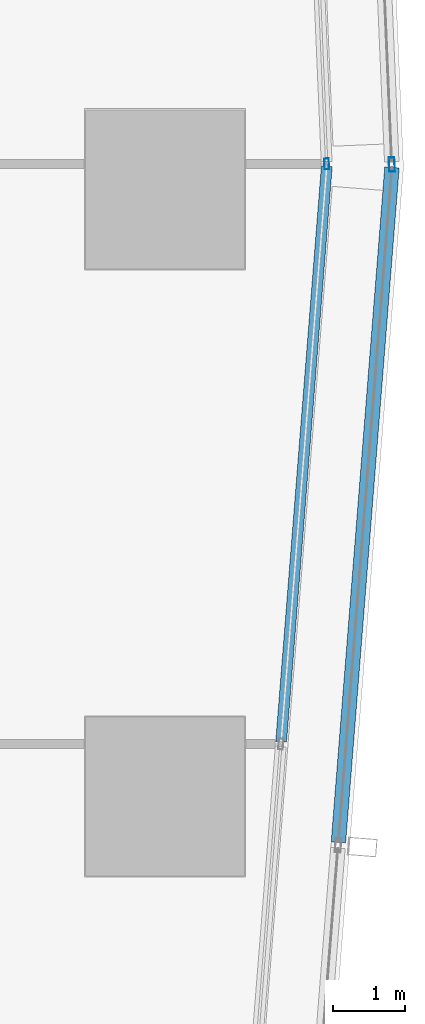
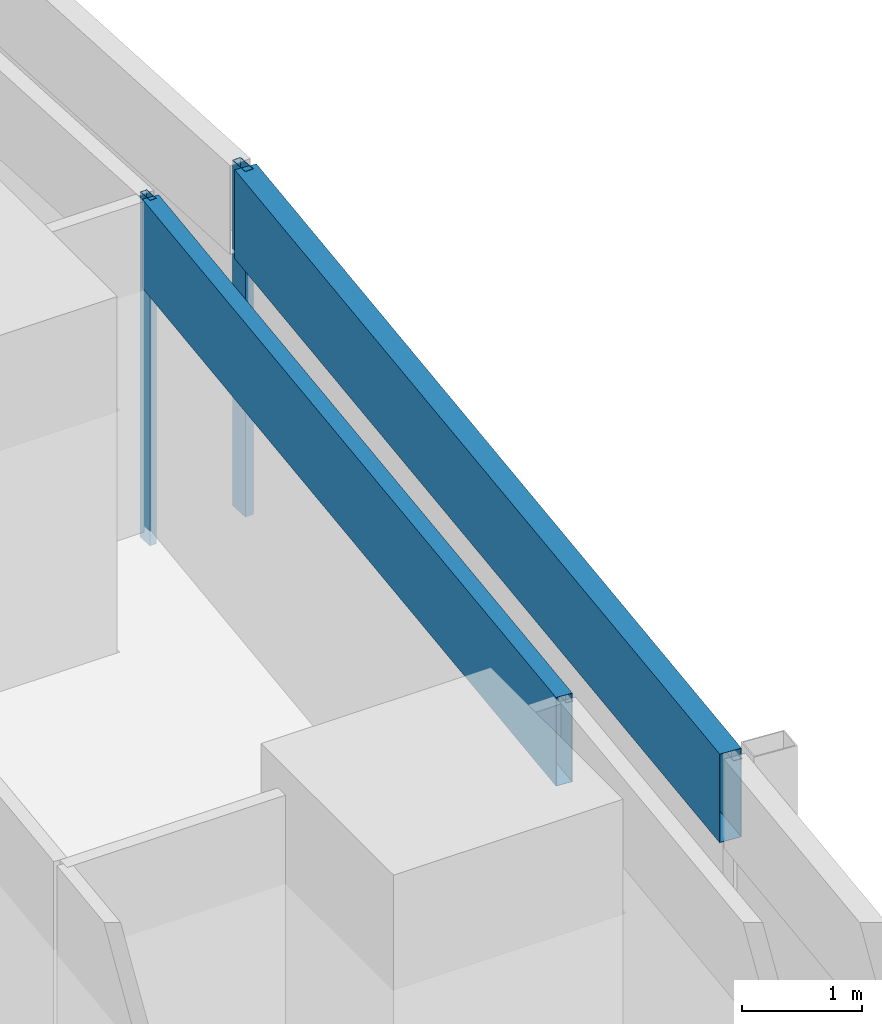
# One storey, part 26 of 44: 4 members, 4 elements without a shape of their own.
"""IFC4 building model written with IfcOpenShell, lengths in metres."""

from ifc_helpers import new_model, si_unit, direction, frame, origin, origin_2d, place, context, subcontext, project, spatial, hollow_rectangle, extrude, material, material_profile, profile_set, type_object, element, aggregate, save


model = new_model("IFC4")

# Units and contexts
model_context = context("Model", 3, precision=1e-05, world=origin(), true_north=direction((0.0, 1.0)))
body_context = subcontext(model_context, "Body", "Model", "MODEL_VIEW")
ifc_project = project(units=[si_unit("LENGTHUNIT", "METRE"), si_unit("AREAUNIT", "SQUARE_METRE"), si_unit("VOLUMEUNIT", "CUBIC_METRE"), si_unit("PLANEANGLEUNIT", "RADIAN"), si_unit("MASSUNIT", "GRAM", prefix="KILO")], contexts=[model_context])

# Site, building, storey
site_placement = place(None, origin())
site = spatial("IfcSite", under=ifc_project, at=site_placement, CompositionType="ELEMENT")
building_placement = place(site_placement, origin())
building = spatial("IfcBuilding", under=site, at=building_placement, Name="Rekha Terrace Tower", CompositionType="ELEMENT")
storey_placement = place(building_placement, frame((0.0, 0.0, 51.64990234375)))
storey = spatial("IfcBuildingStorey", under=building, at=storey_placement, Name="L12", CompositionType="ELEMENT", Elevation=51.64990234375)

# Curtain wall, member
ifc_material_1 = material(Name="Aluminium framing", Category="aluminium")
curtain_wall_type_1 = type_object("IfcCurtainWallType", Name="CW1 double skin inner glazing", PredefinedType="USERDEFINED", material=ifc_material_1)
curtain_wall_1_placement = place(storey_placement, origin())
curtain_wall_1 = element("IfcCurtainWall", 1, at=curtain_wall_1_placement, inside=storey, type_object=curtain_wall_type_1, Name="CW1 double skin inner glazing", ObjectType="DOUBLE SKIN INNER GLAZING", PredefinedType="USERDEFINED")
ifc_material_2 = material(Name="Aluminium mullion section", Category="aluminium")
ifc_material_profile_1 = material_profile(ifc_material_2, hollow_rectangle(XDim=0.06494140625, YDim=0.14990234375, WallThickness=0.00390625, at=origin_2d()), Name="AL RHS 65x150")
ifc_profile_set_1 = profile_set([ifc_material_profile_1], Name="Aluminium mullion section")
member_type_1 = type_object("IfcMemberType", Name="CW1 mullion RHS 65 x 150", PredefinedType="MULLION", material=ifc_profile_set_1)
member_1_placement = place(storey_placement, frame((69.436767578125, 25.5517578125, 0.0), z_axis=(0.0, 0.0, 1.0), x_axis=(-0.999088106904, -0.042696072921, 0.0)))
member_1 = element("IfcMember", 2, at=member_1_placement, type_object=member_type_1, Name="CW1 mullion 1", PredefinedType="MULLION", context=body_context, shape_type="SweptSolid", body=[
    extrude(hollow_rectangle(XDim=0.06494140625, YDim=0.14990234375, WallThickness=0.00390625, at=origin_2d()), origin(), (0.0, 0.0, 1.0), 3.5),
])
aggregate(curtain_wall_1, [member_1])

curtain_wall_2_placement = place(storey_placement, origin())
curtain_wall_2 = element("IfcCurtainWall", 3, at=curtain_wall_2_placement, inside=storey, type_object=curtain_wall_type_1, Name="CW1 double skin inner glazing", ObjectType="DOUBLE SKIN INNER GLAZING", PredefinedType="USERDEFINED")
ifc_material_3 = material(Name="Insulated aluminium spandrel box", Category="aluminium")
ifc_material_profile_2 = material_profile(ifc_material_3, hollow_rectangle(XDim=0.14990234375, YDim=0.89990234375, WallThickness=0.0029296875, at=origin_2d()), Name="AL SPANDREL BOX 150x900")
ifc_profile_set_2 = profile_set([ifc_material_profile_2], Name="Insulated aluminium spandrel box")
member_type_2 = type_object("IfcMemberType", Name="CW1 spandrel transom 150 x 900", PredefinedType="USERDEFINED", material=ifc_profile_set_2)
member_2_placement = place(storey_placement, frame((68.80615234375, 17.555908203125, 3.050048828125), z_axis=(0.07912449621, 0.996864742129, 0.0), x_axis=(-0.996864742129, 0.07912449621, 0.0)))
member_2 = element("IfcMember", 4, at=member_2_placement, type_object=member_type_2, Name="CW1 spandrel transom 2", ObjectType="TRANSOM", PredefinedType="USERDEFINED", context=body_context, shape_type="SweptSolid", body=[
    extrude(hollow_rectangle(XDim=0.14990234375, YDim=0.89990234375, WallThickness=0.0029296875, at=origin_2d()), origin(), (0.0, 0.0, 1.0), 7.988525390625),
])
aggregate(curtain_wall_2, [member_2])

curtain_wall_type_2 = type_object("IfcCurtainWallType", Name="CW2 double skin outer glazing", PredefinedType="USERDEFINED", material=ifc_material_1)
curtain_wall_3_placement = place(storey_placement, origin())
curtain_wall_3 = element("IfcCurtainWall", 5, at=curtain_wall_3_placement, inside=storey, type_object=curtain_wall_type_2, Name="CW2 double skin outer glazing", ObjectType="DOUBLE SKIN OUTER GLAZING", PredefinedType="USERDEFINED")
ifc_material_profile_3 = material_profile(ifc_material_2, hollow_rectangle(XDim=0.080078125, YDim=0.199951171875, WallThickness=0.00390625, at=origin_2d()), Name="AL RHS 80x200")
ifc_profile_set_3 = profile_set([ifc_material_profile_3], Name="Aluminium mullion section")
member_type_3 = type_object("IfcMemberType", Name="CW2 mullion RHS 80 x 200", PredefinedType="MULLION", material=ifc_profile_set_3)
member_3_placement = place(storey_placement, frame((70.338134765625, 25.54296875, 0.0), z_axis=(0.0, 0.0, 1.0), x_axis=(-0.999088106903, -0.042696072956, 0.0)))
member_3 = element("IfcMember", 6, at=member_3_placement, type_object=member_type_3, Name="CW2 mullion 1", PredefinedType="MULLION", context=body_context, shape_type="SweptSolid", body=[
    extrude(hollow_rectangle(XDim=0.080078125, YDim=0.199951171875, WallThickness=0.00390625, at=origin_2d()), origin(), (0.0, 0.0, 1.0), 3.5),
])
aggregate(curtain_wall_3, [member_3])

curtain_wall_4_placement = place(storey_placement, origin())
curtain_wall_4 = element("IfcCurtainWall", 7, at=curtain_wall_4_placement, inside=storey, type_object=curtain_wall_type_2, Name="CW2 double skin outer glazing", ObjectType="DOUBLE SKIN OUTER GLAZING", PredefinedType="USERDEFINED")
ifc_material_profile_4 = material_profile(ifc_material_3, hollow_rectangle(XDim=0.199951171875, YDim=0.89990234375, WallThickness=0.0029296875, at=origin_2d()), Name="AL SPANDREL BOX 200x900")
ifc_profile_set_4 = profile_set([ifc_material_profile_4], Name="Insulated aluminium spandrel box")
member_type_4 = type_object("IfcMemberType", Name="CW2 spandrel transom 200 x 900", PredefinedType="USERDEFINED", material=ifc_profile_set_4)
member_4_placement = place(storey_placement, frame((69.5986328125, 16.16552734375, 3.050048828125), z_axis=(0.079131924046, 0.996864152529, 0.0), x_axis=(-0.996864152529, 0.079131924046, 0.0)))
member_4 = element("IfcMember", 8, at=member_4_placement, type_object=member_type_4, Name="CW2 spandrel transom 2", ObjectType="TRANSOM", PredefinedType="USERDEFINED", context=body_context, shape_type="SweptSolid", body=[
    extrude(hollow_rectangle(XDim=0.199951171875, YDim=0.89990234375, WallThickness=0.0029296875, at=origin_2d()), origin(), (0.0, 0.0, 1.0), 9.36669921875),
])
aggregate(curtain_wall_4, [member_4])

save(model, "model.ifc")
